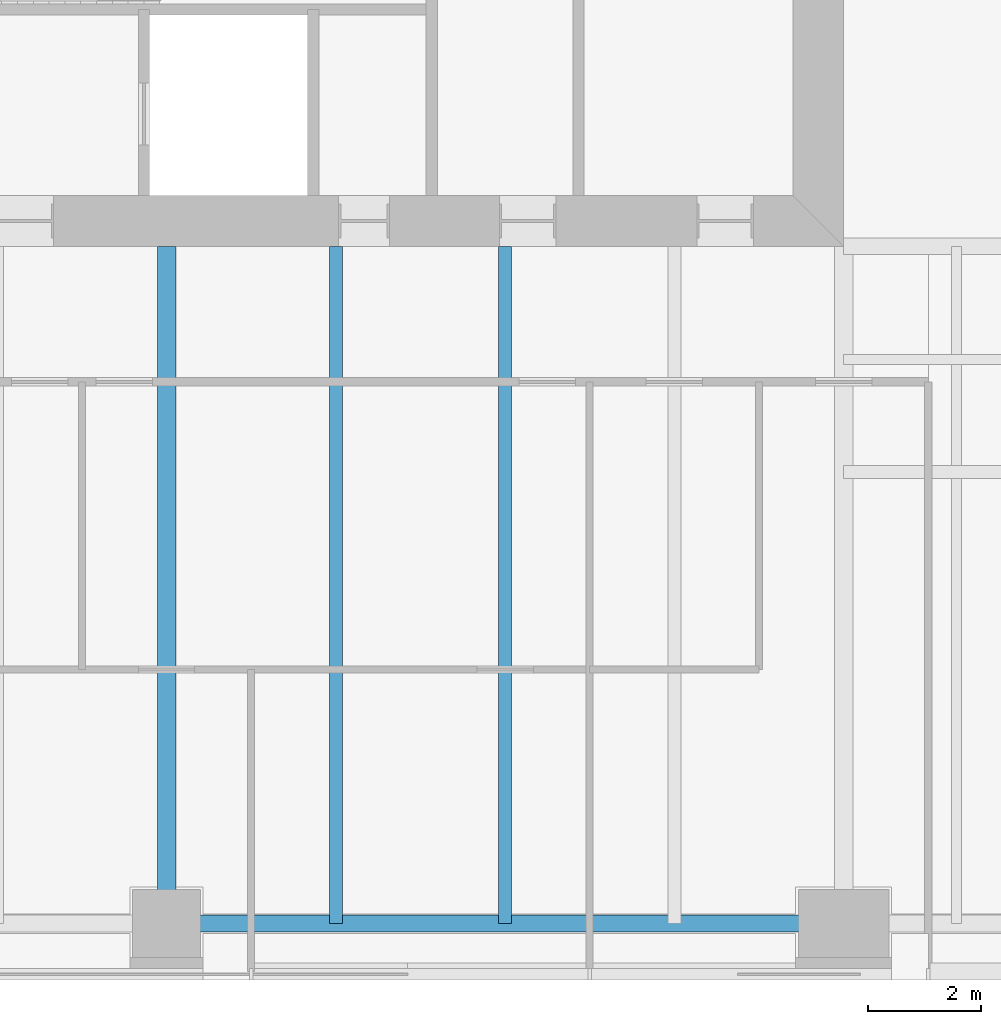
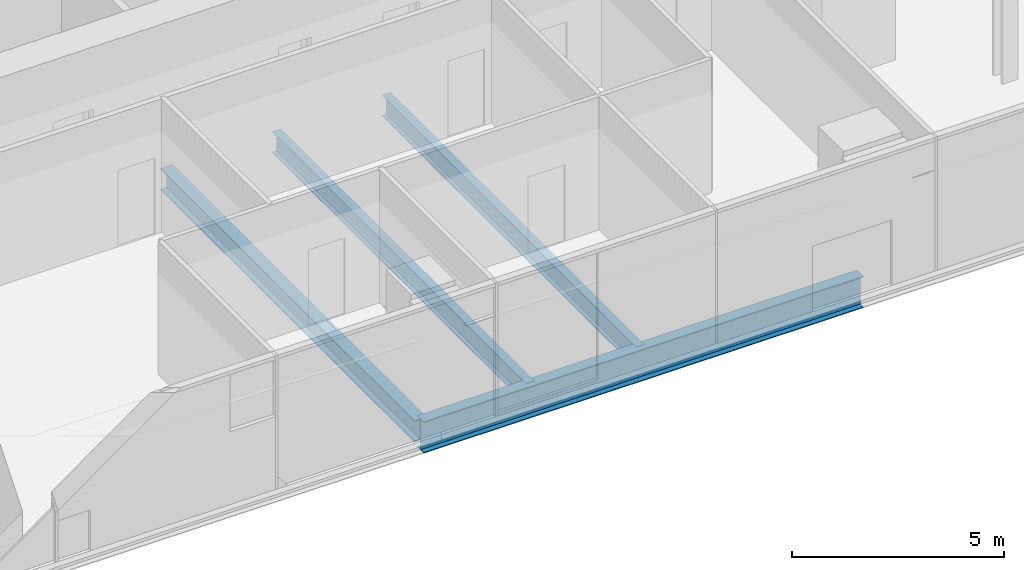
# One storey, part 3 of 14: 4 beams.
"""IFC4 building model written with IfcOpenShell, lengths in metres."""

from ifc_helpers import new_model, si_unit, direction, frame, origin, origin_2d, place, context, subcontext, project, spatial, i_section, extrude, material, material_profile, profile_set, type_object, element, save


model = new_model("IFC4")

# Units and contexts
model_context = context("Model", 3, precision=1e-05, world=origin(), true_north=direction((0.0, 1.0)))
body_context = subcontext(model_context, "Body", "Model", "MODEL_VIEW")
ifc_project = project(units=[si_unit("LENGTHUNIT", "METRE"), si_unit("AREAUNIT", "SQUARE_METRE"), si_unit("VOLUMEUNIT", "CUBIC_METRE"), si_unit("PLANEANGLEUNIT", "RADIAN"), si_unit("MASSUNIT", "GRAM", prefix="KILO")], contexts=[model_context])

# Site, building, storey
site_placement = place(None, origin())
site = spatial("IfcSite", under=ifc_project, at=site_placement, CompositionType="ELEMENT")
building_placement = place(site_placement, origin())
building = spatial("IfcBuilding", under=site, at=building_placement, Name="Fenwick Lantern Interchange", CompositionType="ELEMENT")
storey_placement = place(building_placement, frame((0.0, 0.0, 193.800048828125)))
storey = spatial("IfcBuildingStorey", under=building, at=storey_placement, Name="L45", CompositionType="ELEMENT", Elevation=193.800048828125)

# Beams
ifc_material = material(Name="Steel ASTM A992 Grade 50", Category="steel")
ifc_material_profile_1 = material_profile(ifc_material, i_section(OverallWidth=0.3046875, OverallDepth=0.911865234375, WebThickness=0.015869140625, FlangeThickness=0.02392578125, at=origin_2d()), Name="W36X150")
ifc_profile_set_1 = profile_set([ifc_material_profile_1], Name="Steel ASTM A992 Grade 50")
beam_type_1 = type_object("IfcBeamType", Name="EDGE BEAM W36X150", PredefinedType="SPANDREL", material=ifc_profile_set_1)
beam_1_placement = place(storey_placement, frame((25.0, 1.0, -0.60595703125), z_axis=(1.0, 0.0, 0.0), x_axis=(0.0, 1.0, 0.0)))
element("IfcBeam", 1, at=beam_1_placement, inside=storey, type_object=beam_type_1, Name="L45/FR/S/EB3", PredefinedType="SPANDREL", context=body_context, shape_type="SweptSolid", body=[
    extrude(i_section(OverallWidth=0.3046875, OverallDepth=0.911865234375, WebThickness=0.015869140625, FlangeThickness=0.02392578125, at=origin_2d()), origin(), (0.0, 0.0, 1.0), 12.0),
])
ifc_material_profile_2 = material_profile(ifc_material, i_section(OverallWidth=0.22900390625, OverallDepth=0.612060546875, WebThickness=0.011962890625, FlangeThickness=0.01953125, at=origin_2d()), Name="W24X84")
ifc_profile_set_2 = profile_set([ifc_material_profile_2], Name="Steel ASTM A992 Grade 50")
beam_type_2 = type_object("IfcBeamType", Name="FLOOR BEAM W24X84", PredefinedType="BEAM", material=ifc_profile_set_2)
for number, where, z_axis, x_axis, name in (
    (2, (28.0, 1.0, -0.4560546875), (0.0, 1.0, 0.0), (-1.0, 0.0, 0.0), "L45/FR/S/R06"),
    (3, (31.0, 1.0, -0.4560546875), (0.0, 1.0, 0.0), (-1.0, 0.0, 0.0), "L45/FR/S/R07"),
):
    element("IfcBeam", number, at=place(storey_placement, frame(where, z_axis=z_axis, x_axis=x_axis)), inside=storey, type_object=beam_type_2, Name=name, PredefinedType="BEAM", context=body_context, shape_type="SweptSolid", body=[
        extrude(i_section(OverallWidth=0.22900390625, OverallDepth=0.612060546875, WebThickness=0.011962890625, FlangeThickness=0.01953125, at=origin_2d()), origin(), (0.0, 0.0, 1.0), 12.0),
    ])
ifc_material_profile_3 = material_profile(ifc_material, i_section(OverallWidth=0.32763671875, OverallDepth=0.622314453125, WebThickness=0.015380859375, FlangeThickness=0.0244140625, at=origin_2d()), Name="W24X131")
ifc_profile_set_3 = profile_set([ifc_material_profile_3], Name="Steel ASTM A992 Grade 50")
beam_type_3 = type_object("IfcBeamType", Name="MOMENT-CONNECTED GIRDER W24X131", PredefinedType="BEAM", material=ifc_profile_set_3)
beam_2_placement = place(storey_placement, frame((25.0, 1.0, -0.461181640625), z_axis=(0.0, 1.0, 0.0), x_axis=(-1.0, 0.0, 0.0)))
element("IfcBeam", 4, at=beam_2_placement, inside=storey, type_object=beam_type_3, Name="L45/FR/S/R05", PredefinedType="BEAM", context=body_context, shape_type="SweptSolid", body=[
    extrude(i_section(OverallWidth=0.32763671875, OverallDepth=0.622314453125, WebThickness=0.015380859375, FlangeThickness=0.0244140625, at=origin_2d()), origin(), (0.0, 0.0, 1.0), 12.0),
])

save(model, "model.ifc")
